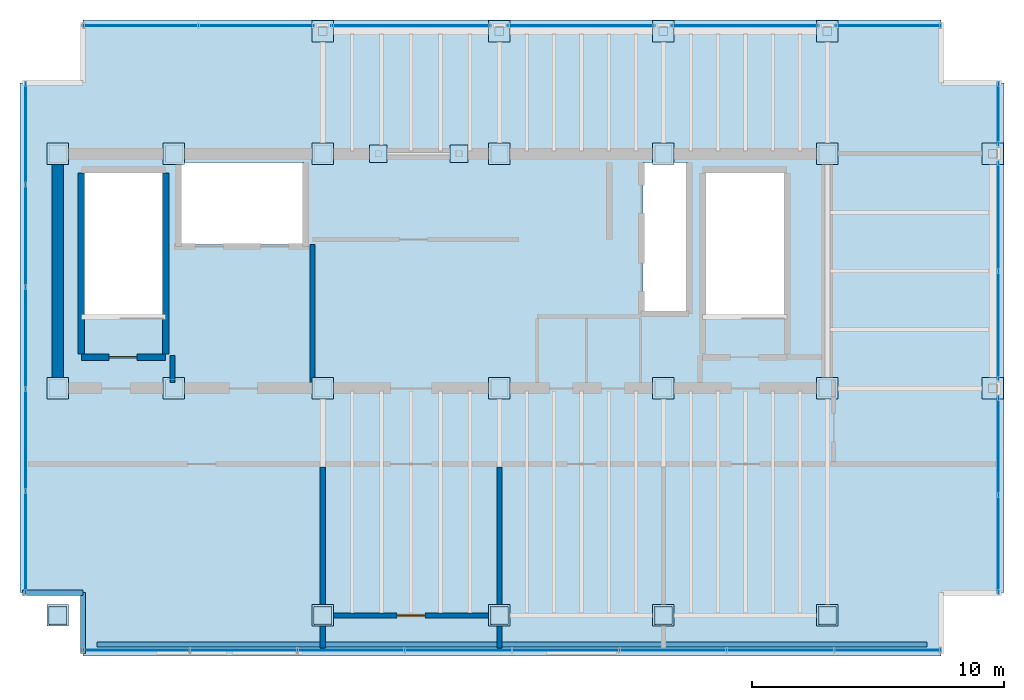
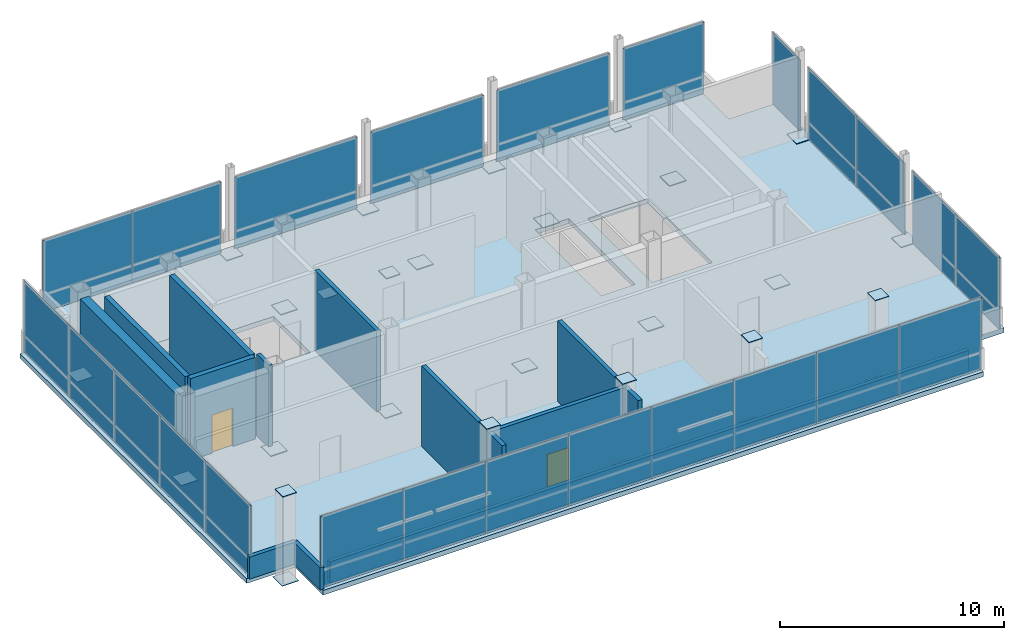
# One storey, part 17 of 20: 54 plates, 12 walls, 2 doors, 1 slab, 6 openings, 10 elements without a shape of their own.
"""IFC4 building model written with IfcOpenShell, lengths in metres."""

from ifc_helpers import new_model, si_unit, direction, frame, frame_2d, origin, origin_2d, place, context, subcontext, project, spatial, polyline, rectangle, outline, extrude, material, layer, layer_set, type_object, element, fill, aggregate, save


model = new_model("IFC4")

# Units and contexts
model_context = context("Model", 3, precision=1e-05, world=origin(), true_north=direction((0.0, 1.0)))
body_context = subcontext(model_context, "Body", "Model", "MODEL_VIEW")
ifc_project = project(units=[si_unit("LENGTHUNIT", "METRE"), si_unit("AREAUNIT", "SQUARE_METRE"), si_unit("VOLUMEUNIT", "CUBIC_METRE"), si_unit("PLANEANGLEUNIT", "RADIAN"), si_unit("MASSUNIT", "GRAM", prefix="KILO")], contexts=[model_context])

# Site, building, storey
site_placement = place(None, origin())
site = spatial("IfcSite", under=ifc_project, at=site_placement, CompositionType="ELEMENT")
building_placement = place(site_placement, origin())
building = spatial("IfcBuilding", under=site, at=building_placement, Name="Noeulbin Bourse Tower", CompositionType="ELEMENT")
storey_placement = place(building_placement, frame((0.0, 0.0, 312.60009765625)))
storey = spatial("IfcBuildingStorey", under=building, at=storey_placement, Name="L77", CompositionType="ELEMENT", Elevation=312.60009765625)

# Curtain wall, plates
ifc_material_1 = material(Name="High-Selectivity Low-Iron Glazing", Category="glass")
curtain_wall_type = type_object("IfcCurtainWallType", Name="CW-SYS-4", PredefinedType="NOTDEFINED", material=ifc_material_1)
curtain_wall_1_placement = place(storey_placement, origin())
curtain_wall_1 = element("IfcCurtainWall", 1, at=curtain_wall_1_placement, inside=storey, type_object=curtain_wall_type, Name="Unitised Curtain Wall CW-L77-S1", PredefinedType="NOTDEFINED")
ifc_layer_1 = layer(ifc_material_1, 0.035888671875)
ifc_layer_set_1 = layer_set([ifc_layer_1], Name="High-Selectivity Low-Iron Glazing")
plate_type_1 = type_object("IfcPlateType", Name="CW-SYS-4-PNL", PredefinedType="CURTAIN_PANEL", material=ifc_layer_set_1)
plate_1_placement = place(storey_placement, frame((16.607421875, 18.6201171875, 0.0), z_axis=(0.0, 0.0, 1.0), x_axis=(1.0, 0.0, 0.0)))
plate_1 = element("IfcPlate", 2, at=plate_1_placement, type_object=plate_type_1, Name="Glazed Curtain Panel CW-L77-S1-P00", PredefinedType="CURTAIN_PANEL", context=body_context, shape_type="SweptSolid", body=[
    extrude(rectangle(XDim=4.2548828125, YDim=0.035888671875, at=origin_2d()), origin(), (0.0, 0.0, 1.0), 3.909912109375),
])
plate_2_placement = place(storey_placement, frame((20.862548828125, 18.6201171875, 0.0), z_axis=(0.0, 0.0, 1.0), x_axis=(1.0, 0.0, 0.0)))
plate_2 = element("IfcPlate", 3, at=plate_2_placement, type_object=plate_type_1, Name="Glazed Curtain Panel CW-L77-S1-P01", PredefinedType="CURTAIN_PANEL", context=body_context, shape_type="SweptSolid", body=[
    extrude(rectangle(XDim=4.2548828125, YDim=0.035888671875, at=origin_2d()), origin(), (0.0, 0.0, 1.0), 3.909912109375),
])
plate_3_placement = place(storey_placement, frame((25.117431640625, 18.6201171875, 0.0), z_axis=(0.0, 0.0, 1.0), x_axis=(1.0, 0.0, 0.0)))
plate_3 = element("IfcPlate", 4, at=plate_3_placement, type_object=plate_type_1, Name="Glazed Curtain Panel CW-L77-S1-P02", PredefinedType="CURTAIN_PANEL", context=body_context, shape_type="SweptSolid", body=[
    extrude(rectangle(XDim=4.2548828125, YDim=0.035888671875, at=origin_2d()), origin(), (0.0, 0.0, 1.0), 3.909912109375),
])
plate_4_placement = place(storey_placement, frame((29.37255859375, 18.6201171875, 0.0), z_axis=(0.0, 0.0, 1.0), x_axis=(1.0, 0.0, 0.0)))
plate_4 = element("IfcPlate", 5, at=plate_4_placement, type_object=plate_type_1, Name="Glazed Curtain Panel CW-L77-S1-P03", PredefinedType="CURTAIN_PANEL", context=body_context, shape_type="SweptSolid", body=[
    extrude(rectangle(XDim=4.2548828125, YDim=0.035888671875, at=origin_2d()), origin(), (0.0, 0.0, 1.0), 3.909912109375),
])
plate_5_placement = place(storey_placement, frame((33.62744140625, 18.6201171875, 0.0), z_axis=(0.0, 0.0, 1.0), x_axis=(1.0, 0.0, 0.0)))
plate_5 = element("IfcPlate", 6, at=plate_5_placement, type_object=plate_type_1, Name="Glazed Curtain Panel CW-L77-S1-P04", PredefinedType="CURTAIN_PANEL", context=body_context, shape_type="SweptSolid", body=[
    extrude(rectangle(XDim=4.2548828125, YDim=0.035888671875, at=origin_2d()), origin(), (0.0, 0.0, 1.0), 3.909912109375),
])
plate_6_placement = place(storey_placement, frame((37.882568359375, 18.6201171875, 0.0), z_axis=(0.0, 0.0, 1.0), x_axis=(1.0, 0.0, 0.0)))
plate_6 = element("IfcPlate", 7, at=plate_6_placement, type_object=plate_type_1, Name="Glazed Curtain Panel CW-L77-S1-P05", PredefinedType="CURTAIN_PANEL", context=body_context, shape_type="SweptSolid", body=[
    extrude(rectangle(XDim=4.2548828125, YDim=0.035888671875, at=origin_2d()), origin(), (0.0, 0.0, 1.0), 3.909912109375),
])
plate_7_placement = place(storey_placement, frame((42.137451171875, 18.6201171875, 0.0), z_axis=(0.0, 0.0, 1.0), x_axis=(1.0, 0.0, 0.0)))
plate_7 = element("IfcPlate", 8, at=plate_7_placement, type_object=plate_type_1, Name="Glazed Curtain Panel CW-L77-S1-P06", PredefinedType="CURTAIN_PANEL", context=body_context, shape_type="SweptSolid", body=[
    extrude(rectangle(XDim=4.2548828125, YDim=0.035888671875, at=origin_2d()), origin(), (0.0, 0.0, 1.0), 3.909912109375),
])
plate_8_placement = place(storey_placement, frame((46.392578125, 18.6201171875, 0.0), z_axis=(0.0, 0.0, 1.0), x_axis=(1.0, 0.0, 0.0)))
plate_8 = element("IfcPlate", 9, at=plate_8_placement, type_object=plate_type_1, Name="Glazed Curtain Panel CW-L77-S1-P07", PredefinedType="CURTAIN_PANEL", context=body_context, shape_type="SweptSolid", body=[
    extrude(rectangle(XDim=4.2548828125, YDim=0.035888671875, at=origin_2d()), origin(), (0.0, 0.0, 1.0), 3.909912109375),
])
aggregate(curtain_wall_1, [plate_1, plate_2, plate_3, plate_4, plate_5, plate_6, plate_7, plate_8])

curtain_wall_2_placement = place(storey_placement, origin())
curtain_wall_2 = element("IfcCurtainWall", 10, at=curtain_wall_2_placement, inside=storey, type_object=curtain_wall_type, Name="Unitised Curtain Wall CW-L77-N-S1", PredefinedType="NOTDEFINED")
plate_9_placement = place(storey_placement, frame((16.7763671875, 43.3798828125, 0.0), z_axis=(0.0, 0.0, 1.0), x_axis=(1.0, 0.0, 0.0)))
plate_9 = element("IfcPlate", 11, at=plate_9_placement, type_object=plate_type_1, Name="Glazed Curtain Panel CW-L77-N-S1-P00", PredefinedType="CURTAIN_PANEL", context=body_context, shape_type="SweptSolid", body=[
    extrude(rectangle(XDim=4.592529296875, YDim=0.035888671875, at=origin_2d()), origin(), (0.0, 0.0, 1.0), 3.909912109375),
])
plate_10_placement = place(storey_placement, frame((21.36865234375, 43.3798828125, 0.0), z_axis=(0.0, 0.0, 1.0), x_axis=(1.0, 0.0, 0.0)))
plate_10 = element("IfcPlate", 12, at=plate_10_placement, type_object=plate_type_1, Name="Glazed Curtain Panel CW-L77-N-S1-P01", PredefinedType="CURTAIN_PANEL", context=body_context, shape_type="SweptSolid", body=[
    extrude(rectangle(XDim=4.592529296875, YDim=0.035888671875, at=origin_2d()), origin(), (0.0, 0.0, 1.0), 3.909912109375),
])
aggregate(curtain_wall_2, [plate_9, plate_10])

# Curtain wall, plate
curtain_wall_3_placement = place(storey_placement, origin())
curtain_wall_3 = element("IfcCurtainWall", 13, at=curtain_wall_3_placement, inside=storey, type_object=curtain_wall_type, Name="Unitised Curtain Wall CW-L77-N-S2", PredefinedType="NOTDEFINED")
plate_11_placement = place(storey_placement, frame((27.5, 43.3798828125, 0.0), z_axis=(0.0, 0.0, 1.0), x_axis=(1.0, 0.0, 0.0)))
plate_11 = element("IfcPlate", 14, at=plate_11_placement, type_object=plate_type_1, Name="Glazed Curtain Panel CW-L77-N-S2-P00", PredefinedType="CURTAIN_PANEL", context=body_context, shape_type="SweptSolid", body=[
    extrude(rectangle(XDim=6.330078125, YDim=0.035888671875, at=origin_2d()), origin(), (0.0, 0.0, 1.0), 3.909912109375),
])
aggregate(curtain_wall_3, [plate_11])

curtain_wall_4_placement = place(storey_placement, origin())
curtain_wall_4 = element("IfcCurtainWall", 15, at=curtain_wall_4_placement, inside=storey, type_object=curtain_wall_type, Name="Unitised Curtain Wall CW-L77-N-S3", PredefinedType="NOTDEFINED")
plate_12_placement = place(storey_placement, frame((34.25, 43.3798828125, 0.0), z_axis=(0.0, 0.0, 1.0), x_axis=(1.0, 0.0, 0.0)))
plate_12 = element("IfcPlate", 16, at=plate_12_placement, type_object=plate_type_1, Name="Glazed Curtain Panel CW-L77-N-S3-P00", PredefinedType="CURTAIN_PANEL", context=body_context, shape_type="SweptSolid", body=[
    extrude(rectangle(XDim=5.830078125, YDim=0.035888671875, at=origin_2d()), origin(), (0.0, 0.0, 1.0), 3.909912109375),
])
aggregate(curtain_wall_4, [plate_12])

curtain_wall_5_placement = place(storey_placement, origin())
curtain_wall_5 = element("IfcCurtainWall", 17, at=curtain_wall_5_placement, inside=storey, type_object=curtain_wall_type, Name="Unitised Curtain Wall CW-L77-N-S4", PredefinedType="NOTDEFINED")
plate_13_placement = place(storey_placement, frame((40.75, 43.3798828125, 0.0), z_axis=(0.0, 0.0, 1.0), x_axis=(1.0, 0.0, 0.0)))
plate_13 = element("IfcPlate", 18, at=plate_13_placement, type_object=plate_type_1, Name="Glazed Curtain Panel CW-L77-N-S4-P00", PredefinedType="CURTAIN_PANEL", context=body_context, shape_type="SweptSolid", body=[
    extrude(rectangle(XDim=5.830078125, YDim=0.035888671875, at=origin_2d()), origin(), (0.0, 0.0, 1.0), 3.909912109375),
])
aggregate(curtain_wall_5, [plate_13])

curtain_wall_6_placement = place(storey_placement, origin())
curtain_wall_6 = element("IfcCurtainWall", 19, at=curtain_wall_6_placement, inside=storey, type_object=curtain_wall_type, Name="Unitised Curtain Wall CW-L77-N-S5", PredefinedType="NOTDEFINED")
plate_14_placement = place(storey_placement, frame((46.427490234375, 43.3798828125, 0.0), z_axis=(0.0, 0.0, 1.0), x_axis=(1.0, 0.0, 0.0)))
plate_14 = element("IfcPlate", 20, at=plate_14_placement, type_object=plate_type_1, Name="Glazed Curtain Panel CW-L77-N-S5-P00", PredefinedType="CURTAIN_PANEL", context=body_context, shape_type="SweptSolid", body=[
    extrude(rectangle(XDim=4.18505859375, YDim=0.035888671875, at=origin_2d()), origin(), (0.0, 0.0, 1.0), 3.909912109375),
])
aggregate(curtain_wall_6, [plate_14])

# Curtain wall, plates
curtain_wall_7_placement = place(storey_placement, origin())
curtain_wall_7 = element("IfcCurtainWall", 21, at=curtain_wall_7_placement, inside=storey, type_object=curtain_wall_type, Name="Unitised Curtain Wall CW-L77-W", PredefinedType="NOTDEFINED")
plate_15_placement = place(storey_placement, frame((12.219970703125, 22.904052734375, 0.0), z_axis=(0.0, 0.0, 1.0), x_axis=(0.0, 1.0, 0.0)))
plate_15 = element("IfcPlate", 22, at=plate_15_placement, type_object=plate_type_1, Name="Glazed Curtain Panel CW-L77-W-P00", PredefinedType="CURTAIN_PANEL", context=body_context, shape_type="SweptSolid", body=[
    extrude(rectangle(XDim=4.048095703125, YDim=0.035888671875, at=origin_2d()), origin(), (0.0, 0.0, 1.0), 3.909912109375),
])
plate_16_placement = place(storey_placement, frame((12.219970703125, 26.951904296875, 0.0), z_axis=(0.0, 0.0, 1.0), x_axis=(0.0, 1.0, 0.0)))
plate_16 = element("IfcPlate", 23, at=plate_16_placement, type_object=plate_type_1, Name="Glazed Curtain Panel CW-L77-W-P01", PredefinedType="CURTAIN_PANEL", context=body_context, shape_type="SweptSolid", body=[
    extrude(rectangle(XDim=4.048095703125, YDim=0.035888671875, at=origin_2d()), origin(), (0.0, 0.0, 1.0), 3.909912109375),
])
plate_17_placement = place(storey_placement, frame((12.219970703125, 31.0, 0.0), z_axis=(0.0, 0.0, 1.0), x_axis=(0.0, 1.0, 0.0)))
plate_17 = element("IfcPlate", 24, at=plate_17_placement, type_object=plate_type_1, Name="Glazed Curtain Panel CW-L77-W-P02", PredefinedType="CURTAIN_PANEL", context=body_context, shape_type="SweptSolid", body=[
    extrude(rectangle(XDim=4.048095703125, YDim=0.035888671875, at=origin_2d()), origin(), (0.0, 0.0, 1.0), 3.909912109375),
])
plate_18_placement = place(storey_placement, frame((12.219970703125, 35.048095703125, 0.0), z_axis=(0.0, 0.0, 1.0), x_axis=(0.0, 1.0, 0.0)))
plate_18 = element("IfcPlate", 25, at=plate_18_placement, type_object=plate_type_1, Name="Glazed Curtain Panel CW-L77-W-P03", PredefinedType="CURTAIN_PANEL", context=body_context, shape_type="SweptSolid", body=[
    extrude(rectangle(XDim=4.048095703125, YDim=0.035888671875, at=origin_2d()), origin(), (0.0, 0.0, 1.0), 3.909912109375),
])
plate_19_placement = place(storey_placement, frame((12.219970703125, 39.095947265625, 0.0), z_axis=(0.0, 0.0, 1.0), x_axis=(0.0, 1.0, 0.0)))
plate_19 = element("IfcPlate", 26, at=plate_19_placement, type_object=plate_type_1, Name="Glazed Curtain Panel CW-L77-W-P04", PredefinedType="CURTAIN_PANEL", context=body_context, shape_type="SweptSolid", body=[
    extrude(rectangle(XDim=4.048095703125, YDim=0.035888671875, at=origin_2d()), origin(), (0.0, 0.0, 1.0), 3.909912109375),
])
aggregate(curtain_wall_7, [plate_15, plate_16, plate_17, plate_18, plate_19])

curtain_wall_8_placement = place(storey_placement, origin())
curtain_wall_8 = element("IfcCurtainWall", 27, at=curtain_wall_8_placement, inside=storey, type_object=curtain_wall_type, Name="Unitised Curtain Wall CW-L77-E-S1", PredefinedType="NOTDEFINED")
plate_20_placement = place(storey_placement, frame((50.780029296875, 22.826171875, 0.0), z_axis=(0.0, 0.0, 1.0), x_axis=(0.0, 1.0, 0.0)))
plate_20 = element("IfcPlate", 28, at=plate_20_placement, type_object=plate_type_1, Name="Glazed Curtain Panel CW-L77-E-S1-P00", PredefinedType="CURTAIN_PANEL", context=body_context, shape_type="SweptSolid", body=[
    extrude(rectangle(XDim=3.892578125, YDim=0.035888671875, at=origin_2d()), origin(), (0.0, 0.0, 1.0), 3.909912109375),
])
plate_21_placement = place(storey_placement, frame((50.780029296875, 26.71875, 0.0), z_axis=(0.0, 0.0, 1.0), x_axis=(0.0, 1.0, 0.0)))
plate_21 = element("IfcPlate", 29, at=plate_21_placement, type_object=plate_type_1, Name="Glazed Curtain Panel CW-L77-E-S1-P01", PredefinedType="CURTAIN_PANEL", context=body_context, shape_type="SweptSolid", body=[
    extrude(rectangle(XDim=3.892578125, YDim=0.035888671875, at=origin_2d()), origin(), (0.0, 0.0, 1.0), 3.909912109375),
])
aggregate(curtain_wall_8, [plate_20, plate_21])

curtain_wall_9_placement = place(storey_placement, origin())
curtain_wall_9 = element("IfcCurtainWall", 30, at=curtain_wall_9_placement, inside=storey, type_object=curtain_wall_type, Name="Unitised Curtain Wall CW-L77-E-S2", PredefinedType="NOTDEFINED")
plate_22_placement = place(storey_placement, frame((50.780029296875, 31.492431640625, 0.0), z_axis=(0.0, 0.0, 1.0), x_axis=(0.0, 1.0, 0.0)))
plate_22 = element("IfcPlate", 31, at=plate_22_placement, type_object=plate_type_1, Name="Glazed Curtain Panel CW-L77-E-S2-P00", PredefinedType="CURTAIN_PANEL", context=body_context, shape_type="SweptSolid", body=[
    extrude(rectangle(XDim=4.31494140625, YDim=0.035888671875, at=origin_2d()), origin(), (0.0, 0.0, 1.0), 3.909912109375),
])
plate_23_placement = place(storey_placement, frame((50.780029296875, 35.8076171875, 0.0), z_axis=(0.0, 0.0, 1.0), x_axis=(0.0, 1.0, 0.0)))
plate_23 = element("IfcPlate", 32, at=plate_23_placement, type_object=plate_type_1, Name="Glazed Curtain Panel CW-L77-E-S2-P01", PredefinedType="CURTAIN_PANEL", context=body_context, shape_type="SweptSolid", body=[
    extrude(rectangle(XDim=4.31494140625, YDim=0.035888671875, at=origin_2d()), origin(), (0.0, 0.0, 1.0), 3.909912109375),
])
aggregate(curtain_wall_9, [plate_22, plate_23])

# Curtain wall, plate
curtain_wall_10_placement = place(storey_placement, origin())
curtain_wall_10 = element("IfcCurtainWall", 33, at=curtain_wall_10_placement, inside=storey, type_object=curtain_wall_type, Name="Unitised Curtain Wall CW-L77-E-S3", PredefinedType="NOTDEFINED")
plate_24_placement = place(storey_placement, frame((50.780029296875, 39.87744140625, 0.0), z_axis=(0.0, 0.0, 1.0), x_axis=(0.0, 1.0, 0.0)))
plate_24 = element("IfcPlate", 34, at=plate_24_placement, type_object=plate_type_1, Name="Glazed Curtain Panel CW-L77-E-S3-P00", PredefinedType="CURTAIN_PANEL", context=body_context, shape_type="SweptSolid", body=[
    extrude(rectangle(XDim=2.485107421875, YDim=0.035888671875, at=origin_2d()), origin(), (0.0, 0.0, 1.0), 3.909912109375),
])
aggregate(curtain_wall_10, [plate_24])

# Plates
ifc_material_2 = material(Name="Steel S355", Category="steel")
ifc_layer_2 = layer(ifc_material_2, 0.030029296875)
ifc_layer_set_2 = layer_set([ifc_layer_2], Name="Steel S355")
plate_type_2 = type_object("IfcPlateType", Name="PLT-BN1", PredefinedType="USERDEFINED", material=ifc_layer_set_2)
for number, where, z_axis, x_axis, name in (
    (35, (13.5, 29.0, 0.0048828125), (0.0, 0.0, 1.0), (1.0, 0.0, 0.0), "Mega-Column Splice Plate BN1-L77-01"),
    (36, (13.5, 38.300048828125, 0.0048828125), (0.0, 0.0, 1.0), (1.0, 0.0, 0.0), "Mega-Column Splice Plate BN1-L77-02"),
    (37, (18.10009765625, 29.0, 0.0048828125), (0.0, 0.0, 1.0), (1.0, 0.0, 0.0), "Mega-Column Splice Plate BN1-L77-03"),
    (38, (18.10009765625, 38.300048828125, 0.0048828125), (0.0, 0.0, 1.0), (1.0, 0.0, 0.0), "Mega-Column Splice Plate BN1-L77-04"),
    (39, (24.0, 29.0, 0.0048828125), (0.0, 0.0, 1.0), (1.0, 0.0, 0.0), "Mega-Column Splice Plate BN1-L77-05"),
    (40, (24.0, 38.300048828125, 0.0048828125), (0.0, 0.0, 1.0), (1.0, 0.0, 0.0), "Mega-Column Splice Plate BN1-L77-06"),
    (41, (31.0, 29.0, 0.0048828125), (0.0, 0.0, 1.0), (1.0, 0.0, 0.0), "Mega-Column Splice Plate BN1-L77-07"),
    (42, (31.0, 38.300048828125, 0.0048828125), (0.0, 0.0, 1.0), (1.0, 0.0, 0.0), "Mega-Column Splice Plate BN1-L77-08"),
    (43, (37.5, 29.0, 0.0048828125), (0.0, 0.0, 1.0), (1.0, 0.0, 0.0), "Mega-Column Splice Plate BN1-L77-09"),
    (44, (37.5, 38.300048828125, 0.0048828125), (0.0, 0.0, 1.0), (1.0, 0.0, 0.0), "Mega-Column Splice Plate BN1-L77-10"),
    (45, (44.0, 29.0, 0.0048828125), (0.0, 0.0, 1.0), (1.0, 0.0, 0.0), "Mega-Column Splice Plate BN1-L77-11"),
    (46, (44.0, 38.300048828125, 0.0048828125), (0.0, 0.0, 1.0), (1.0, 0.0, 0.0), "Mega-Column Splice Plate BN1-L77-12"),
    (47, (13.5, 20.0, 0.0048828125), (0.0, 0.0, 1.0), (1.0, 0.0, 0.0), "Mega-Column Splice Plate BN1-L77-13"),
    (48, (24.0, 20.0, 0.0048828125), (0.0, 0.0, 1.0), (1.0, 0.0, 0.0), "Mega-Column Splice Plate BN1-L77-14"),
    (49, (31.0, 20.0, 0.0048828125), (0.0, 0.0, 1.0), (1.0, 0.0, 0.0), "Mega-Column Splice Plate BN1-L77-15"),
    (50, (37.5, 20.0, 0.0048828125), (0.0, 0.0, 1.0), (1.0, 0.0, 0.0), "Mega-Column Splice Plate BN1-L77-16"),
    (51, (44.0, 20.0, 0.0048828125), (0.0, 0.0, 1.0), (1.0, 0.0, 0.0), "Mega-Column Splice Plate BN1-L77-17"),
    (52, (24.0, 43.14990234375, 0.0048828125), (0.0, 0.0, 1.0), (1.0, 0.0, 0.0), "Perimeter Column Splice Plate BN1-L77-01"),
    (53, (31.0, 43.14990234375, 0.0048828125), (0.0, 0.0, 1.0), (1.0, 0.0, 0.0), "Perimeter Column Splice Plate BN1-L77-02"),
    (54, (37.5, 43.14990234375, 0.0048828125), (0.0, 0.0, 1.0), (1.0, 0.0, 0.0), "Perimeter Column Splice Plate BN1-L77-03"),
    (55, (44.0, 43.14990234375, 0.0048828125), (0.0, 0.0, 1.0), (1.0, 0.0, 0.0), "Perimeter Column Splice Plate BN1-L77-04"),
    (56, (50.550048828125, 29.0, 0.0048828125), (0.0, 0.0, 1.0), (1.0, 0.0, 0.0), "Perimeter Column Splice Plate BN1-L77-05"),
    (57, (50.550048828125, 38.300048828125, 0.0048828125), (0.0, 0.0, 1.0), (1.0, 0.0, 0.0), "Perimeter Column Splice Plate BN1-L77-06"),
):
    element("IfcPlate", number, at=place(storey_placement, frame(where, z_axis=z_axis, x_axis=x_axis)), inside=storey, type_object=plate_type_2, Name=name, ObjectType="SPLICE PLATE", PredefinedType="USERDEFINED", context=body_context, shape_type="SweptSolid", body=[
        extrude(rectangle(XDim=0.85009765625, YDim=0.85009765625, at=origin_2d()), origin(), (0.0, 0.0, 1.0), 0.030029296875),
    ])
ifc_layer_3 = layer(ifc_material_2, 0.034912109375)
ifc_layer_set_3 = layer_set([ifc_layer_3], Name="Steel S355")
plate_type_3 = type_object("IfcPlateType", Name="PLT-CN1", PredefinedType="USERDEFINED", material=ifc_layer_set_3)
for number, where, z_axis, x_axis, name in (
    (58, (13.5, 20.0, 4.7822265625), (0.0, 0.0, 1.0), (1.0, 0.0, 0.0), "Mega-Column Top Cap Plate CN1-L77-13"),
    (59, (24.0, 20.0, 4.7822265625), (0.0, 0.0, 1.0), (1.0, 0.0, 0.0), "Mega-Column Top Cap Plate CN1-L77-14"),
    (60, (31.0, 20.0, 4.7822265625), (0.0, 0.0, 1.0), (1.0, 0.0, 0.0), "Mega-Column Top Cap Plate CN1-L77-15"),
    (61, (37.5, 20.0, 4.7822265625), (0.0, 0.0, 1.0), (1.0, 0.0, 0.0), "Mega-Column Top Cap Plate CN1-L77-16"),
    (62, (44.0, 20.0, 4.7822265625), (0.0, 0.0, 1.0), (1.0, 0.0, 0.0), "Mega-Column Top Cap Plate CN1-L77-17"),
    (63, (26.199951171875, 38.300048828125, 0.00244140625), (0.0, 0.0, 1.0), (1.0, 0.0, 0.0), "Crown Maintenance Frame Base Plate CN1-D1"),
    (64, (29.39990234375, 38.300048828125, 0.00244140625), (0.0, 0.0, 1.0), (1.0, 0.0, 0.0), "Crown Maintenance Frame Base Plate CN1-D2"),
):
    element("IfcPlate", number, at=place(storey_placement, frame(where, z_axis=z_axis, x_axis=x_axis)), inside=storey, type_object=plate_type_3, Name=name, ObjectType="BASE PLATE", PredefinedType="USERDEFINED", context=body_context, shape_type="SweptSolid", body=[
        extrude(rectangle(XDim=0.699951171875, YDim=0.699951171875, at=origin_2d()), origin(), (0.0, 0.0, 1.0), 0.034912109375),
    ])

# Slab, openings
ifc_material_3 = material(Name="Concrete C40/50", Category="concrete")
ifc_layer_4 = layer(ifc_material_3, 0.260009765625)
ifc_layer_set_4 = layer_set([ifc_layer_4], Name="Concrete C40/50")
slab_type = type_object("IfcSlabType", Name="SLB-PLT-260", PredefinedType="FLOOR", material=ifc_layer_set_4)
slab_placement = place(storey_placement, frame((0.0, 0.0, -0.260009765625)))
slab = element("IfcSlab", 65, at=slab_placement, inside=storey, type_object=slab_type, Name="Tower Structural Floor Slab L77", PredefinedType="FLOOR", context=body_context, shape_type="SweptSolid", body=[
    extrude(outline(polyline([(14.5, 18.39990234375), (48.5, 18.39990234375), (48.5, 20.89990234375), (51.0, 20.89990234375), (51.0, 41.10009765625), (48.5, 41.10009765625), (48.5, 43.60009765625), (14.5, 43.60009765625), (14.5, 41.10009765625), (12.0, 41.10009765625), (12.0, 20.89990234375), (14.5, 20.89990234375), (14.5, 18.39990234375)]), holes=[polyline([(17.64990234375, 31.81005859375), (17.64990234375, 37.5439453125), (14.550048828125, 37.5439453125), (14.550048828125, 31.81005859375), (17.64990234375, 31.81005859375)]), polyline([(42.280029296875, 31.81005859375), (42.280029296875, 37.5439453125), (39.179931640625, 37.5439453125), (39.179931640625, 31.81005859375), (42.280029296875, 31.81005859375)]), polyline([(18.35009765625, 34.699951171875), (23.25, 34.699951171875), (23.25, 37.949951171875), (18.35009765625, 37.949951171875), (18.35009765625, 34.699951171875)]), polyline([(36.699951171875, 32.050048828125), (38.449951171875, 32.050048828125), (38.449951171875, 37.949951171875), (36.699951171875, 37.949951171875), (36.699951171875, 32.050048828125)])]), origin(), (0.0, 0.0, 1.0), 0.260009765625),
])
opening_1_placement = place(slab_placement, frame((0.0, 0.0, -0.010009765625)))
element("IfcOpeningElement", 66, at=opening_1_placement, cuts=slab, Name="Slab Shaft Opening SLB-L77-TWR-1", PredefinedType="OPENING", context=body_context, shape_type="SweptSolid", body=[
    extrude(outline(polyline([(17.64990234375, 31.81005859375), (17.64990234375, 37.5439453125), (14.550048828125, 37.5439453125), (14.550048828125, 31.81005859375), (17.64990234375, 31.81005859375)])), origin(), (0.0, 0.0, 1.0), 0.280029296875),
])
opening_2_placement = place(slab_placement, frame((0.0, 0.0, -0.010009765625)))
element("IfcOpeningElement", 67, at=opening_2_placement, cuts=slab, Name="Slab Shaft Opening SLB-L77-TWR-2", PredefinedType="OPENING", context=body_context, shape_type="SweptSolid", body=[
    extrude(outline(polyline([(42.280029296875, 31.81005859375), (42.280029296875, 37.5439453125), (39.179931640625, 37.5439453125), (39.179931640625, 31.81005859375), (42.280029296875, 31.81005859375)])), origin(), (0.0, 0.0, 1.0), 0.280029296875),
])
opening_3_placement = place(slab_placement, frame((0.0, 0.0, -0.010009765625)))
element("IfcOpeningElement", 68, at=opening_3_placement, cuts=slab, Name="Slab Shaft Opening SLB-L77-TWR-3", PredefinedType="OPENING", context=body_context, shape_type="SweptSolid", body=[
    extrude(outline(polyline([(18.35009765625, 34.699951171875), (23.25, 34.699951171875), (23.25, 37.949951171875), (18.35009765625, 37.949951171875), (18.35009765625, 34.699951171875)])), origin(), (0.0, 0.0, 1.0), 0.280029296875),
])
opening_4_placement = place(slab_placement, frame((0.0, 0.0, -0.010009765625)))
element("IfcOpeningElement", 69, at=opening_4_placement, cuts=slab, Name="Slab Shaft Opening SLB-L77-TWR-4", PredefinedType="OPENING", context=body_context, shape_type="SweptSolid", body=[
    extrude(outline(polyline([(36.699951171875, 32.050048828125), (38.449951171875, 32.050048828125), (38.449951171875, 37.949951171875), (36.699951171875, 37.949951171875), (36.699951171875, 32.050048828125)])), origin(), (0.0, 0.0, 1.0), 0.280029296875),
])

# Wall
ifc_material_4 = material(Name="Concrete C50/60", Category="concrete")
ifc_layer_5 = layer(ifc_material_4, 0.449951171875)
ifc_layer_set_5 = layer_set([ifc_layer_5], Name="Concrete C50/60")
wall_type_1 = type_object("IfcWallType", Name="WAL-CORE-450", PredefinedType="SHEAR", material=ifc_layer_set_5)
wall_1_placement = place(storey_placement, frame((13.5, 29.35009765625, 0.0), z_axis=(0.0, 0.0, 1.0), x_axis=(0.0, 1.0, 0.0)))
element("IfcWall", 70, at=wall_1_placement, inside=storey, type_object=wall_type_1, Name="Rear Core West Shear Wall L77", PredefinedType="SHEAR", context=body_context, shape_type="SweptSolid", body=[
    extrude(rectangle(XDim=8.599853515625, YDim=0.449951171875, at=frame_2d((4.2998046875, 0.0))), origin(), (0.0, 0.0, 1.0), 4.449951171875),
])

# Wall, opening, door
ifc_layer_6 = layer(ifc_material_3, 0.199951171875)
ifc_layer_set_6 = layer_set([ifc_layer_6], Name="Concrete C40/50")
wall_type_2 = type_object("IfcWallType", Name="WAL-FIRE-200", PredefinedType="STANDARD", material=ifc_layer_set_6)
wall_2_placement = place(storey_placement, frame((24.0, 20.0, 0.0), z_axis=(0.0, 0.0, 1.0), x_axis=(1.0, 0.0, 0.0)))
wall_2 = element("IfcWall", 71, at=wall_2_placement, inside=storey, type_object=wall_type_2, Name="Interior Partition Wall L77-06", PredefinedType="STANDARD", context=body_context, shape_type="SweptSolid", body=[
    extrude(rectangle(XDim=7.0, YDim=0.199951171875, at=frame_2d((3.5, 0.0))), origin(), (0.0, 0.0, 1.0), 4.396484375),
])
opening_5_placement = place(wall_2_placement, frame((2.949951171875, 0.0, 0.0)))
opening_5 = element("IfcOpeningElement", 72, at=opening_5_placement, cuts=wall_2, Name="Opening FD-11", PredefinedType="OPENING", context=body_context, shape_type="SweptSolid", body=[
    extrude(rectangle(XDim=1.10009765625, YDim=2.080078125, at=frame_2d((0.550048828125, 1.0400390625))), frame((0.0, 0.10986328125, 0.0), z_axis=(0.0, -1.0, 0.0), x_axis=(1.0, 0.0, 0.0)), (0.0, 0.0, 1.0), 0.219970703125),
])
ifc_material_5 = material(Name="Fire-Rated Insulated Steel", Category="steel")
door_type = type_object("IfcDoorType", Name="DR-FD60-1100", OperationType="SINGLE_SWING_LEFT", PredefinedType="DOOR", material=ifc_material_5)
door_1_placement = place(opening_5_placement, origin())
door_1 = element("IfcDoor", 73, at=door_1_placement, inside=storey, type_object=door_type, Name="Interior Door L77-13", OperationType="SINGLE_SWING_RIGHT", OverallHeight=2.080078125, OverallWidth=1.10009765625, PredefinedType="DOOR", context=body_context, shape_type="SweptSolid", body=[
    extrude(rectangle(XDim=1.10009765625, YDim=2.080078125, at=frame_2d((0.550048828125, 1.0400390625))), frame((0.0, 0.02490234375, 0.0), z_axis=(0.0, -1.0, 0.0), x_axis=(1.0, 0.0, 0.0)), (0.0, 0.0, 1.0), 0.050048828125),
])
fill(opening_5, door_1)

# Walls
wall_3_placement = place(storey_placement, frame((18.050048828125, 29.235107421875, 0.0), z_axis=(0.0, 0.0, 1.0), x_axis=(0.0, 1.0, 0.0)))
element("IfcWall", 74, at=wall_3_placement, inside=storey, type_object=wall_type_2, Name="Interior Partition Wall L77-07", PredefinedType="STANDARD", context=body_context, shape_type="SweptSolid", body=[
    extrude(rectangle(XDim=1.06494140625, YDim=0.199951171875, at=frame_2d((0.532470703125, 0.0))), origin(), (0.0, 0.0, 1.0), 4.449951171875),
])
wall_4_placement = place(storey_placement, frame((23.60009765625, 29.235107421875, 0.0), z_axis=(0.0, 0.0, 1.0), x_axis=(0.0, 1.0, 0.0)))
element("IfcWall", 75, at=wall_4_placement, inside=storey, type_object=wall_type_2, Name="Interior Partition Wall L77-09", PredefinedType="STANDARD", context=body_context, shape_type="SweptSolid", body=[
    extrude(rectangle(XDim=5.46484375, YDim=0.199951171875, at=frame_2d((2.732421875, 0.0))), origin(), (0.0, 0.0, 1.0), 4.396484375),
])
for number, where, z_axis, x_axis, name in (
    (76, (24.0, 18.7099609375, 0.0), (0.0, 0.0, 1.0), (0.0, 1.0, 0.0), "Interior Partition Wall L77-14"),
    (77, (31.0, 18.7099609375, 0.0), (0.0, 0.0, 1.0), (0.0, 1.0, 0.0), "Interior Partition Wall L77-15"),
):
    element("IfcWall", number, at=place(storey_placement, frame(where, z_axis=z_axis, x_axis=x_axis)), inside=storey, type_object=wall_type_2, Name=name, PredefinedType="STANDARD", context=body_context, shape_type="SweptSolid", body=[
        extrude(rectangle(XDim=7.179931640625, YDim=0.199951171875, at=frame_2d((3.58984375, 0.0))), origin(), (0.0, 0.0, 1.0), 4.396484375),
    ])
ifc_layer_7 = layer(ifc_material_3, 0.199951171875)
ifc_layer_set_7 = layer_set([ifc_layer_7], Name="Concrete C40/50")
wall_type_3 = type_object("IfcWallType", Name="WAL-PAR-200", PredefinedType="PARAPET", material=ifc_layer_set_7)
for number, where, z_axis, x_axis, name in (
    (78, (12.10009765625, 20.89990234375, 0.0), (0.0, 0.0, 1.0), (1.0, 0.0, 0.0), "Corner Notch Parapet L77-SW1"),
    (79, (14.5, 20.89990234375, 0.0), (0.0, 0.0, 1.0), (0.0, -1.0, 0.0), "Corner Notch Parapet L77-SW2"),
):
    element("IfcWall", number, at=place(storey_placement, frame(where, z_axis=z_axis, x_axis=x_axis)), inside=storey, type_object=wall_type_3, Name=name, PredefinedType="PARAPET", context=body_context, shape_type="SweptSolid", body=[
        extrude(rectangle(XDim=2.39990234375, YDim=0.199951171875, at=frame_2d((1.199951171875, 0.0))), origin(), (0.0, 0.0, 1.0), 1.199951171875),
    ])
wall_5_placement = place(storey_placement, frame((15.050048828125, 18.85009765625, 0.0), z_axis=(0.0, 0.0, 1.0), x_axis=(1.0, 0.0, 0.0)))
element("IfcWall", 80, at=wall_5_placement, inside=storey, type_object=wall_type_3, Name="Crown Eaves Upstand Parapet", PredefinedType="PARAPET", context=body_context, shape_type="SweptSolid", body=[
    extrude(rectangle(XDim=32.89990234375, YDim=0.199951171875, at=frame_2d((16.449951171875, 0.0))), origin(), (0.0, 0.0, 1.0), 1.14990234375),
])

# Wall, opening, door
ifc_layer_8 = layer(ifc_material_3, 0.25)
ifc_layer_set_8 = layer_set([ifc_layer_8], Name="Concrete C40/50")
wall_type_4 = type_object("IfcWallType", Name="WAL-SHFT-250", PredefinedType="STANDARD", material=ifc_layer_set_8)
wall_6_placement = place(storey_placement, frame((14.429931640625, 30.235107421875, 0.0), z_axis=(0.0, 0.0, 1.0), x_axis=(1.0, 0.0, 0.0)))
wall_6 = element("IfcWall", 81, at=wall_6_placement, inside=storey, type_object=wall_type_4, Name="Stair ST-1 South Shaft Wall L77", PredefinedType="STANDARD", context=body_context, shape_type="SweptSolid", body=[
    extrude(rectangle(XDim=3.340087890625, YDim=0.25, at=frame_2d((1.669921875, 0.0))), origin(), (0.0, 0.0, 1.0), 4.449951171875),
])
opening_6_placement = place(wall_6_placement, frame((1.10009765625, 0.0, 0.0)))
opening_6 = element("IfcOpeningElement", 82, at=opening_6_placement, cuts=wall_6, Name="Opening FD-11", PredefinedType="OPENING", context=body_context, shape_type="SweptSolid", body=[
    extrude(rectangle(XDim=1.10009765625, YDim=2.080078125, at=frame_2d((0.550048828125, 1.0400390625))), frame((0.0, 0.135009765625, 0.0), z_axis=(0.0, -1.0, 0.0), x_axis=(1.0, 0.0, 0.0)), (0.0, 0.0, 1.0), 0.27001953125),
])
door_2_placement = place(opening_6_placement, origin())
door_2 = element("IfcDoor", 83, at=door_2_placement, inside=storey, type_object=door_type, Name="Protected Stair Entry Door ST1-L77", OperationType="SINGLE_SWING_RIGHT", OverallHeight=2.080078125, OverallWidth=1.10009765625, PredefinedType="DOOR", context=body_context, shape_type="SweptSolid", body=[
    extrude(rectangle(XDim=1.10009765625, YDim=2.080078125, at=frame_2d((0.550048828125, 1.0400390625))), frame((0.0, 0.02490234375, 0.0), z_axis=(0.0, -1.0, 0.0), x_axis=(1.0, 0.0, 0.0)), (0.0, 0.0, 1.0), 0.050048828125),
])
fill(opening_6, door_2)

# Walls
for number, where, z_axis, x_axis, name in (
    (84, (14.425048828125, 30.360107421875, 0.0), (0.0, 0.0, 1.0), (0.0, 1.0, 0.0), "Stair ST-1 West Shaft Wall L77"),
    (85, (17.77490234375, 30.360107421875, 0.0), (0.0, 0.0, 1.0), (0.0, 1.0, 0.0), "Stair ST-1 East Shaft Wall L77"),
):
    element("IfcWall", number, at=place(storey_placement, frame(where, z_axis=z_axis, x_axis=x_axis)), inside=storey, type_object=wall_type_4, Name=name, PredefinedType="STANDARD", context=body_context, shape_type="SweptSolid", body=[
        extrude(rectangle(XDim=7.183837890625, YDim=0.25, at=frame_2d((3.591796875, 0.0))), origin(), (0.0, 0.0, 1.0), 4.449951171875),
    ])

save(model, "model.ifc")
